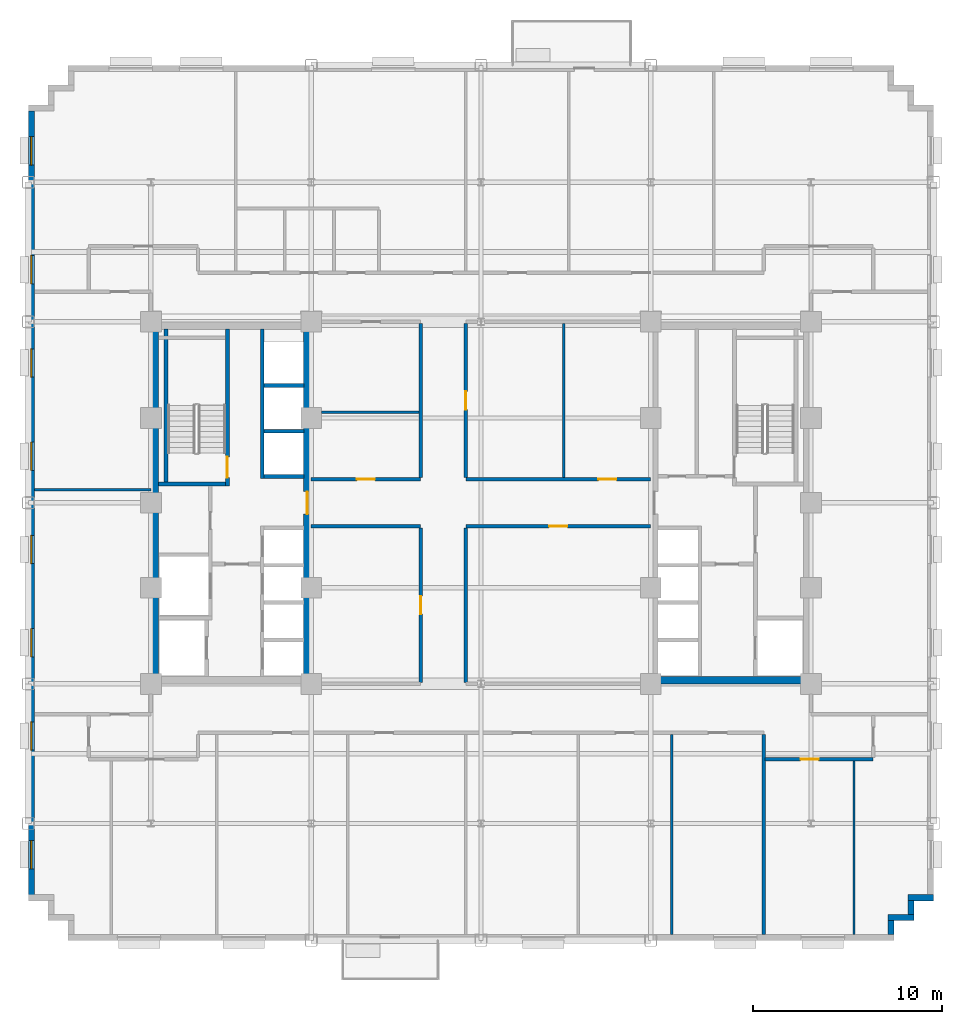
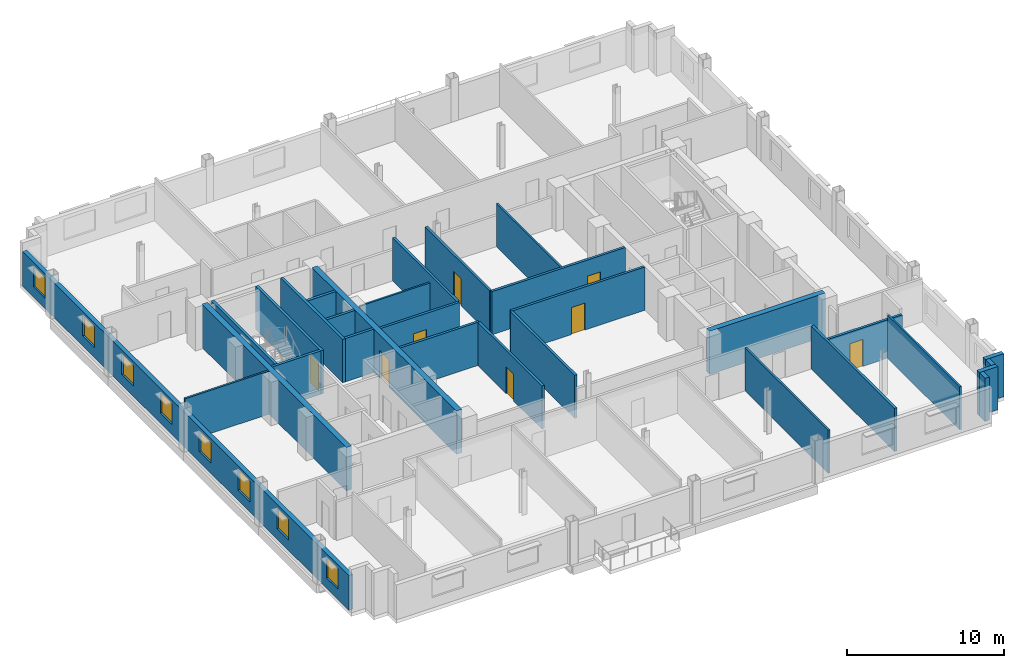
# One storey, part 7 of 14: 30 walls, 8 doors, 8 windows, 16 openings.
"""IFC4 building model written with IfcOpenShell, lengths in metres."""

from ifc_helpers import new_model, si_unit, direction, frame, frame_2d, origin, place, context, subcontext, project, spatial, rectangle, extrude, source, transform, mapped, material, layer, layer_set, type_object, type_shapes, element, fill, save


model = new_model("IFC4")

# Units and contexts
model_context = context("Model", 3, precision=1e-05, world=origin(), true_north=direction((0.0, 1.0)))
body_context = subcontext(model_context, "Body", "Model", "MODEL_VIEW")
ifc_project = project(units=[si_unit("LENGTHUNIT", "METRE"), si_unit("AREAUNIT", "SQUARE_METRE"), si_unit("VOLUMEUNIT", "CUBIC_METRE"), si_unit("PLANEANGLEUNIT", "RADIAN"), si_unit("MASSUNIT", "GRAM", prefix="KILO")], contexts=[model_context])

# Site, building, storey
site_placement = place(None, origin())
site = spatial("IfcSite", under=ifc_project, at=site_placement, CompositionType="ELEMENT")
building_placement = place(site_placement, origin())
building = spatial("IfcBuilding", under=site, at=building_placement, Name="Nuvemarco Arch Tower", CompositionType="ELEMENT")
storey_placement = place(building_placement, frame((0.0, 0.0, 105.60009765625)))
storey = spatial("IfcBuildingStorey", under=building, at=storey_placement, Name="L27", CompositionType="ELEMENT", Elevation=105.60009765625)

# Walls
ifc_material_1 = material(Name="Precast concrete C45/55", Category="concrete")
ifc_layer_1 = layer(ifc_material_1, 0.320068359375, Name="EW-MID-320")
ifc_layer_set_1 = layer_set([ifc_layer_1], Name="Precast concrete C45/55")
wall_type_1 = type_object("IfcWallType", Name="EW-MID-320", PredefinedType="STANDARD", material=ifc_layer_set_1)
wall_1_placement = place(storey_placement, frame((21.739990234375, -22.884033203125, 0.0), z_axis=(0.0, 0.0, 1.0), x_axis=(0.0, 1.0, 0.0)))
element("IfcWall", 1, at=wall_1_placement, inside=storey, type_object=wall_type_1, Name="L27 exterior precast facade wall 2", PredefinedType="STANDARD", context=body_context, shape_type="SweptSolid", body=[
    extrude(rectangle(XDim=0.738037109375, YDim=0.320068359375, at=frame_2d((0.369140625, 0.0))), origin(), (0.0, 0.0, 1.0), 3.35986328125),
])
wall_2_placement = place(storey_placement, frame((21.580078125, -21.989990234375, 0.0), z_axis=(0.0, 0.0, 1.0), x_axis=(1.0, 0.0, 0.0)))
element("IfcWall", 2, at=wall_2_placement, inside=storey, type_object=wall_type_1, Name="L27 exterior precast facade wall 3", PredefinedType="STANDARD", context=body_context, shape_type="SweptSolid", body=[
    extrude(rectangle(XDim=1.369873046875, YDim=0.320068359375, at=frame_2d((0.68505859375, 0.0))), origin(), (0.0, 0.0, 1.0), 3.35986328125),
])
wall_3_placement = place(storey_placement, frame((22.7900390625, -21.833984375, 0.0), z_axis=(0.0, 0.0, 1.0), x_axis=(0.0, 1.0, 0.0)))
element("IfcWall", 3, at=wall_3_placement, inside=storey, type_object=wall_type_1, Name="L27 exterior precast facade wall 4", PredefinedType="STANDARD", context=body_context, shape_type="SweptSolid", body=[
    extrude(rectangle(XDim=0.738037109375, YDim=0.320068359375, at=frame_2d((0.369140625, 0.0))), origin(), (0.0, 0.0, 1.0), 3.35986328125),
])
wall_4_placement = place(storey_placement, frame((22.6298828125, -20.93994140625, 0.0), z_axis=(0.0, 0.0, 1.0), x_axis=(1.0, 0.0, 0.0)))
element("IfcWall", 4, at=wall_4_placement, inside=storey, type_object=wall_type_1, Name="L27 exterior precast facade wall 5", PredefinedType="STANDARD", context=body_context, shape_type="SweptSolid", body=[
    extrude(rectangle(XDim=1.3701171875, YDim=0.320068359375, at=frame_2d((0.68505859375, 0.0))), origin(), (0.0, 0.0, 1.0), 3.35986328125),
])

# Wall, openings, windows
wall_5_placement = place(storey_placement, frame((-23.840087890625, -20.783935546875, 0.0), z_axis=(0.0, 0.0, 1.0), x_axis=(0.0, 1.0, 0.0)))
wall_5 = element("IfcWall", 5, at=wall_5_placement, inside=storey, type_object=wall_type_1, Name="L27 exterior precast facade wall 16", PredefinedType="STANDARD", context=body_context, shape_type="SweptSolid", body=[
    extrude(rectangle(XDim=41.56787109375, YDim=0.320068359375, at=frame_2d((20.783935546875, 0.0))), origin(), (0.0, 0.0, 1.0), 2.704833984375),
])
opening_1_placement = place(wall_5_placement, frame((1.373046875, 0.0, 0.800048828125)))
opening_1 = element("IfcOpeningElement", 6, at=opening_1_placement, cuts=wall_5, Name="Opening WN-11", PredefinedType="OPENING", context=body_context, shape_type="SweptSolid", body=[
    extrude(rectangle(XDim=1.5, YDim=1.60009765625, at=frame_2d((0.75, 0.800048828125))), frame((0.0, 0.169921875, 0.0), z_axis=(0.0, -1.0, 0.0), x_axis=(1.0, 0.0, 0.0)), (0.0, 0.0, 1.0), 0.340087890625),
])
opening_2_placement = place(wall_5_placement, frame((7.6689453125, 0.0, 0.800048828125)))
opening_2 = element("IfcOpeningElement", 7, at=opening_2_placement, cuts=wall_5, Name="Opening WN-11", PredefinedType="OPENING", context=body_context, shape_type="SweptSolid", body=[
    extrude(rectangle(XDim=1.5, YDim=1.60009765625, at=frame_2d((0.75, 0.800048828125))), frame((0.0, 0.169921875, 0.0), z_axis=(0.0, -1.0, 0.0), x_axis=(1.0, 0.0, 0.0)), (0.0, 0.0, 1.0), 0.340087890625),
])
opening_3_placement = place(wall_5_placement, frame((12.614990234375, 0.0, 0.800048828125)))
opening_3 = element("IfcOpeningElement", 8, at=opening_3_placement, cuts=wall_5, Name="Opening WN-11", PredefinedType="OPENING", context=body_context, shape_type="SweptSolid", body=[
    extrude(rectangle(XDim=1.5, YDim=1.60009765625, at=frame_2d((0.75, 0.800048828125))), frame((0.0, 0.169921875, 0.0), z_axis=(0.0, -1.0, 0.0), x_axis=(1.0, 0.0, 0.0)), (0.0, 0.0, 1.0), 0.340087890625),
])
opening_4_placement = place(wall_5_placement, frame((17.56103515625, 0.0, 0.800048828125)))
opening_4 = element("IfcOpeningElement", 9, at=opening_4_placement, cuts=wall_5, Name="Opening WN-11", PredefinedType="OPENING", context=body_context, shape_type="SweptSolid", body=[
    extrude(rectangle(XDim=1.5, YDim=1.60009765625, at=frame_2d((0.75, 0.800048828125))), frame((0.0, 0.169921875, 0.0), z_axis=(0.0, -1.0, 0.0), x_axis=(1.0, 0.0, 0.0)), (0.0, 0.0, 1.0), 0.340087890625),
])
opening_5_placement = place(wall_5_placement, frame((22.507080078125, 0.0, 0.800048828125)))
opening_5 = element("IfcOpeningElement", 10, at=opening_5_placement, cuts=wall_5, Name="Opening WN-11", PredefinedType="OPENING", context=body_context, shape_type="SweptSolid", body=[
    extrude(rectangle(XDim=1.5, YDim=1.60009765625, at=frame_2d((0.75, 0.800048828125))), frame((0.0, 0.169921875, 0.0), z_axis=(0.0, -1.0, 0.0), x_axis=(1.0, 0.0, 0.0)), (0.0, 0.0, 1.0), 0.340087890625),
])
opening_6_placement = place(wall_5_placement, frame((27.452880859375, 0.0, 0.800048828125)))
opening_6 = element("IfcOpeningElement", 11, at=opening_6_placement, cuts=wall_5, Name="Opening WN-11", PredefinedType="OPENING", context=body_context, shape_type="SweptSolid", body=[
    extrude(rectangle(XDim=1.5, YDim=1.60009765625, at=frame_2d((0.75, 0.800048828125))), frame((0.0, 0.169921875, 0.0), z_axis=(0.0, -1.0, 0.0), x_axis=(1.0, 0.0, 0.0)), (0.0, 0.0, 1.0), 0.340087890625),
])
opening_7_placement = place(wall_5_placement, frame((32.39892578125, 0.0, 0.800048828125)))
opening_7 = element("IfcOpeningElement", 12, at=opening_7_placement, cuts=wall_5, Name="Opening WN-11", PredefinedType="OPENING", context=body_context, shape_type="SweptSolid", body=[
    extrude(rectangle(XDim=1.5, YDim=1.60009765625, at=frame_2d((0.75, 0.800048828125))), frame((0.0, 0.169921875, 0.0), z_axis=(0.0, -1.0, 0.0), x_axis=(1.0, 0.0, 0.0)), (0.0, 0.0, 1.0), 0.340087890625),
])
opening_8_placement = place(wall_5_placement, frame((38.695068359375, 0.0, 0.800048828125)))
opening_8 = element("IfcOpeningElement", 13, at=opening_8_placement, cuts=wall_5, Name="Opening WN-11", PredefinedType="OPENING", context=body_context, shape_type="SweptSolid", body=[
    extrude(rectangle(XDim=1.5, YDim=1.60009765625, at=frame_2d((0.75, 0.800048828125))), frame((0.0, 0.169921875, 0.0), z_axis=(0.0, -1.0, 0.0), x_axis=(1.0, 0.0, 0.0)), (0.0, 0.0, 1.0), 0.340087890625),
])
ifc_material_2 = material(Name="Insulated solar-control glass", Category="glass")
window_type = type_object("IfcWindowType", Name="WN-STEP-1500x1850", PartitioningType="SINGLE_PANEL", PredefinedType="WINDOW", material=ifc_material_2)
shared_shape_1 = source(origin(), body_context, "Body", "SweptSolid", [
    extrude(rectangle(XDim=1.5, YDim=1.60009765625, at=frame_2d((0.75, 0.800048828125))), frame((0.0, 0.030029296875, 0.0), z_axis=(0.0, -1.0, 0.0), x_axis=(1.0, 0.0, 0.0)), (0.0, 0.0, 1.0), 0.06005859375),
])
type_shapes(window_type, [shared_shape_1])
window_1_placement = place(opening_1_placement, origin())
window_1 = element("IfcWindow", 14, at=window_1_placement, inside=storey, type_object=window_type, Name="L27 punched facade window 1", OverallHeight=1.60009765625, OverallWidth=1.5, PartitioningType="SINGLE_PANEL", PredefinedType="WINDOW", context=body_context, shape_type="MappedRepresentation", body=[
    mapped(shared_shape_1, transform((0.0, 0.0, 0.0), scale=1.0)),
])
fill(opening_1, window_1)
window_2_placement = place(opening_2_placement, origin())
window_2 = element("IfcWindow", 15, at=window_2_placement, inside=storey, type_object=window_type, Name="L27 punched facade window 2", OverallHeight=1.60009765625, OverallWidth=1.5, PartitioningType="SINGLE_PANEL", PredefinedType="WINDOW", context=body_context, shape_type="MappedRepresentation", body=[
    mapped(shared_shape_1, transform((0.0, 0.0, 0.0), scale=1.0)),
])
fill(opening_2, window_2)
window_3_placement = place(opening_3_placement, origin())
window_3 = element("IfcWindow", 16, at=window_3_placement, inside=storey, type_object=window_type, Name="L27 punched facade window 3", OverallHeight=1.60009765625, OverallWidth=1.5, PartitioningType="SINGLE_PANEL", PredefinedType="WINDOW", context=body_context, shape_type="MappedRepresentation", body=[
    mapped(shared_shape_1, transform((0.0, 0.0, 0.0), scale=1.0)),
])
fill(opening_3, window_3)
window_4_placement = place(opening_4_placement, origin())
window_4 = element("IfcWindow", 17, at=window_4_placement, inside=storey, type_object=window_type, Name="L27 punched facade window 4", OverallHeight=1.60009765625, OverallWidth=1.5, PartitioningType="SINGLE_PANEL", PredefinedType="WINDOW", context=body_context, shape_type="MappedRepresentation", body=[
    mapped(shared_shape_1, transform((0.0, 0.0, 0.0), scale=1.0)),
])
fill(opening_4, window_4)
window_5_placement = place(opening_5_placement, origin())
window_5 = element("IfcWindow", 18, at=window_5_placement, inside=storey, type_object=window_type, Name="L27 punched facade window 5", OverallHeight=1.60009765625, OverallWidth=1.5, PartitioningType="SINGLE_PANEL", PredefinedType="WINDOW", context=body_context, shape_type="MappedRepresentation", body=[
    mapped(shared_shape_1, transform((0.0, 0.0, 0.0), scale=1.0)),
])
fill(opening_5, window_5)
window_6_placement = place(opening_6_placement, origin())
window_6 = element("IfcWindow", 19, at=window_6_placement, inside=storey, type_object=window_type, Name="L27 punched facade window 6", OverallHeight=1.60009765625, OverallWidth=1.5, PartitioningType="SINGLE_PANEL", PredefinedType="WINDOW", context=body_context, shape_type="MappedRepresentation", body=[
    mapped(shared_shape_1, transform((0.0, 0.0, 0.0), scale=1.0)),
])
fill(opening_6, window_6)
window_7_placement = place(opening_7_placement, origin())
window_7 = element("IfcWindow", 20, at=window_7_placement, inside=storey, type_object=window_type, Name="L27 punched facade window 7", OverallHeight=1.60009765625, OverallWidth=1.5, PartitioningType="SINGLE_PANEL", PredefinedType="WINDOW", context=body_context, shape_type="MappedRepresentation", body=[
    mapped(shared_shape_1, transform((0.0, 0.0, 0.0), scale=1.0)),
])
fill(opening_7, window_7)
window_8_placement = place(opening_8_placement, origin())
window_8 = element("IfcWindow", 21, at=window_8_placement, inside=storey, type_object=window_type, Name="L27 punched facade window 8", OverallHeight=1.60009765625, OverallWidth=1.5, PartitioningType="SINGLE_PANEL", PredefinedType="WINDOW", context=body_context, shape_type="MappedRepresentation", body=[
    mapped(shared_shape_1, transform((0.0, 0.0, 0.0), scale=1.0)),
])
fill(opening_8, window_8)

# Wall
ifc_material_3 = material(Name="Concrete C60/75", Category="concrete")
ifc_layer_2 = layer(ifc_material_3, 0.39990234375, Name="WL-CORE-400")
ifc_layer_set_2 = layer_set([ifc_layer_2], Name="Concrete C60/75")
wall_type_2 = type_object("IfcWallType", Name="WL-CORE-400", PredefinedType="SHEAR", material=ifc_layer_set_2)
wall_6_placement = place(storey_placement, frame((-17.300048828125, -9.205078125, 0.0), z_axis=(0.0, 0.0, 1.0), x_axis=(0.0, 1.0, 0.0)))
element("IfcWall", 22, at=wall_6_placement, inside=storey, type_object=wall_type_2, Name="L27 W-core shear wall W", PredefinedType="SHEAR", context=body_context, shape_type="SweptSolid", body=[
    extrude(rectangle(XDim=18.41015625, YDim=0.39990234375, at=frame_2d((9.205078125, 0.0))), origin(), (0.0, 0.0, 1.0), 3.369873046875),
])

# Wall, opening, door
wall_7_placement = place(storey_placement, frame((-9.199951171875, -9.205078125, 0.0), z_axis=(0.0, 0.0, 1.0), x_axis=(0.0, 1.0, 0.0)))
wall_7 = element("IfcWall", 23, at=wall_7_placement, inside=storey, type_object=wall_type_2, Name="L27 W-core shear wall E", PredefinedType="SHEAR", context=body_context, shape_type="SweptSolid", body=[
    extrude(rectangle(XDim=18.41015625, YDim=0.39990234375, at=frame_2d((9.205078125, 0.0))), origin(), (0.0, 0.0, 1.0), 3.369873046875),
])
opening_9_placement = place(wall_7_placement, frame((8.60498046875, 0.0, 0.0)))
opening_9 = element("IfcOpeningElement", 24, at=opening_9_placement, cuts=wall_7, Name="Opening FD-2", PredefinedType="OPENING", context=body_context, shape_type="SweptSolid", body=[
    extrude(rectangle(XDim=1.199951171875, YDim=2.14990234375, at=frame_2d((0.60009765625, 1.074951171875))), frame((0.0, 0.2099609375, 0.0), z_axis=(0.0, -1.0, 0.0), x_axis=(1.0, 0.0, 0.0)), (0.0, 0.0, 1.0), 0.419921875),
])
ifc_material_4 = material(Name="Anodised steel fire door", Category="steel")
door_type_1 = type_object("IfcDoorType", Name="DR-FFLOB-FD", OperationType="NOTDEFINED", PredefinedType="DOOR", material=ifc_material_4)
shared_shape_2 = source(origin(), body_context, "Body", "SweptSolid", [
    extrude(rectangle(XDim=1.199951171875, YDim=2.14990234375, at=frame_2d((0.60009765625, 1.074951171875))), frame((0.0, 0.02490234375, 0.0), z_axis=(0.0, -1.0, 0.0), x_axis=(1.0, 0.0, 0.0)), (0.0, 0.0, 1.0), 0.050048828125),
])
type_shapes(door_type_1, [shared_shape_2])
door_1_placement = place(opening_9_placement, origin())
door_1 = element("IfcDoor", 25, at=door_1_placement, inside=storey, type_object=door_type_1, Name="L27 door FD-L27-WCORE-E", OperationType="SINGLE_SWING_RIGHT", OverallHeight=2.14990234375, OverallWidth=1.199951171875, PredefinedType="DOOR", context=body_context, shape_type="MappedRepresentation", body=[
    mapped(shared_shape_2, transform((0.0, 0.0, 0.0), scale=1.0)),
])
fill(opening_9, door_1)

# Wall
wall_8_placement = place(storey_placement, frame((9.0, -9.39990234375, 0.0), z_axis=(0.0, 0.0, 1.0), x_axis=(1.0, 0.0, 0.0)))
element("IfcWall", 26, at=wall_8_placement, inside=storey, type_object=wall_type_2, Name="L27 E-core shear wall S", PredefinedType="SHEAR", context=body_context, shape_type="SweptSolid", body=[
    extrude(rectangle(XDim=8.5, YDim=0.39990234375, at=frame_2d((4.25, 0.0))), origin(), (0.0, 0.0, 1.0), 3.369873046875),
])

# Wall, opening, door
ifc_material_5 = material(Name="Fire-rated gypsum drywall partition")
ifc_layer_3 = layer(ifc_material_5, 0.179931640625, Name="WL-CORR-180")
ifc_layer_set_3 = layer_set([ifc_layer_3], Name="Fire-rated gypsum drywall partition")
wall_type_3 = type_object("IfcWallType", Name="WL-CORR-180", PredefinedType="PARTITIONING", material=ifc_layer_set_3)
wall_9_placement = place(storey_placement, frame((15.070068359375, -13.60009765625, 0.0), z_axis=(0.0, 0.0, 1.0), x_axis=(1.0, 0.0, 0.0)))
wall_9 = element("IfcWall", 27, at=wall_9_placement, inside=storey, type_object=wall_type_3, Name="L27 interior wall IW-L27-002", PredefinedType="PARTITIONING", context=body_context, shape_type="SweptSolid", body=[
    extrude(rectangle(XDim=5.72998046875, YDim=0.179931640625, at=frame_2d((2.864990234375, 0.0))), origin(), (0.0, 0.0, 1.0), 2.997802734375),
])
opening_10_placement = place(wall_9_placement, frame((1.875, 0.0, 0.0)))
opening_10 = element("IfcOpeningElement", 28, at=opening_10_placement, cuts=wall_9, Name="Opening FD-5", PredefinedType="OPENING", context=body_context, shape_type="SweptSolid", body=[
    extrude(rectangle(XDim=0.9599609375, YDim=2.10009765625, at=frame_2d((0.47998046875, 1.050048828125))), frame((0.0, 0.099853515625, 0.0), z_axis=(0.0, -1.0, 0.0), x_axis=(1.0, 0.0, 0.0)), (0.0, 0.0, 1.0), 0.199951171875),
])
ifc_material_6 = material(Name="Timber fire door", Category="wood")
door_type_2 = type_object("IfcDoorType", Name="DR-CORR-FD", OperationType="NOTDEFINED", PredefinedType="DOOR", material=ifc_material_6)
shared_shape_3 = source(origin(), body_context, "Body", "SweptSolid", [
    extrude(rectangle(XDim=0.9599609375, YDim=2.10009765625, at=frame_2d((0.47998046875, 1.050048828125))), frame((0.0, 0.02490234375, 0.0), z_axis=(0.0, -1.0, 0.0), x_axis=(1.0, 0.0, 0.0)), (0.0, 0.0, 1.0), 0.050048828125),
])
type_shapes(door_type_2, [shared_shape_3])
door_2_placement = place(opening_10_placement, origin())
door_2 = element("IfcDoor", 29, at=door_2_placement, inside=storey, type_object=door_type_2, Name="L27 door DR-L27-S_8", OperationType="SINGLE_SWING_LEFT", OverallHeight=2.10009765625, OverallWidth=0.9599609375, PredefinedType="DOOR", context=body_context, shape_type="MappedRepresentation", body=[
    mapped(shared_shape_3, transform((0.0, 0.0, 0.0), scale=1.0)),
])
fill(opening_10, door_2)

# Wall
wall_10_placement = place(storey_placement, frame((-9.0, -1.25, 0.0), z_axis=(0.0, 0.0, 1.0), x_axis=(1.0, 0.0, 0.0)))
element("IfcWall", 30, at=wall_10_placement, inside=storey, type_object=wall_type_3, Name="L27 interior wall IW-L27-009", PredefinedType="PARTITIONING", context=body_context, shape_type="SweptSolid", body=[
    extrude(rectangle(XDim=5.800048828125, YDim=0.179931640625, at=frame_2d((2.89990234375, 0.0))), origin(), (0.0, 0.0, 1.0), 3.35986328125),
])

# Wall, opening, door
wall_11_placement = place(storey_placement, frame((-0.800048828125, -1.25, 0.0), z_axis=(0.0, 0.0, 1.0), x_axis=(1.0, 0.0, 0.0)))
wall_11 = element("IfcWall", 31, at=wall_11_placement, inside=storey, type_object=wall_type_3, Name="L27 interior wall IW-L27-010", PredefinedType="PARTITIONING", context=body_context, shape_type="SweptSolid", body=[
    extrude(rectangle(XDim=9.800048828125, YDim=0.179931640625, at=frame_2d((4.89990234375, 0.0))), origin(), (0.0, 0.0, 1.0), 3.35986328125),
])
opening_11_placement = place(wall_11_placement, frame((4.419921875, 0.0, 0.0)))
opening_11 = element("IfcOpeningElement", 32, at=opening_11_placement, cuts=wall_11, Name="Opening FD-5", PredefinedType="OPENING", context=body_context, shape_type="SweptSolid", body=[
    extrude(rectangle(XDim=0.9599609375, YDim=2.10009765625, at=frame_2d((0.47998046875, 1.050048828125))), frame((0.0, 0.099853515625, 0.0), z_axis=(0.0, -1.0, 0.0), x_axis=(1.0, 0.0, 0.0)), (0.0, 0.0, 1.0), 0.199951171875),
])
door_3_placement = place(opening_11_placement, origin())
door_3 = element("IfcDoor", 33, at=door_3_placement, inside=storey, type_object=door_type_2, Name="L27 door DR-L27-C_SE", OperationType="SINGLE_SWING_RIGHT", OverallHeight=2.10009765625, OverallWidth=0.9599609375, PredefinedType="DOOR", context=body_context, shape_type="MappedRepresentation", body=[
    mapped(shared_shape_3, transform((0.0, 0.0, 0.0), scale=1.0)),
])
fill(opening_11, door_3)

wall_12_placement = place(storey_placement, frame((-9.0, 1.25, 0.0), z_axis=(0.0, 0.0, 1.0), x_axis=(1.0, 0.0, 0.0)))
wall_12 = element("IfcWall", 34, at=wall_12_placement, inside=storey, type_object=wall_type_3, Name="L27 interior wall IW-L27-012", PredefinedType="PARTITIONING", context=body_context, shape_type="SweptSolid", body=[
    extrude(rectangle(XDim=5.800048828125, YDim=0.179931640625, at=frame_2d((2.89990234375, 0.0))), origin(), (0.0, 0.0, 1.0), 3.35986328125),
])
opening_12_placement = place(wall_12_placement, frame((2.419921875, 0.0, 0.0)))
opening_12 = element("IfcOpeningElement", 35, at=opening_12_placement, cuts=wall_12, Name="Opening FD-5", PredefinedType="OPENING", context=body_context, shape_type="SweptSolid", body=[
    extrude(rectangle(XDim=0.9599609375, YDim=2.10009765625, at=frame_2d((0.47998046875, 1.050048828125))), frame((0.0, 0.099853515625, 0.0), z_axis=(0.0, -1.0, 0.0), x_axis=(1.0, 0.0, 0.0)), (0.0, 0.0, 1.0), 0.199951171875),
])
door_4_placement = place(opening_12_placement, origin())
door_4 = element("IfcDoor", 36, at=door_4_placement, inside=storey, type_object=door_type_2, Name="L27 door DR-L27-C_NW1", OperationType="SINGLE_SWING_RIGHT", OverallHeight=2.10009765625, OverallWidth=0.9599609375, PredefinedType="DOOR", context=body_context, shape_type="MappedRepresentation", body=[
    mapped(shared_shape_3, transform((0.0, 0.0, 0.0), scale=1.0)),
])
fill(opening_12, door_4)

wall_13_placement = place(storey_placement, frame((-0.800048828125, 1.25, 0.0), z_axis=(0.0, 0.0, 1.0), x_axis=(1.0, 0.0, 0.0)))
wall_13 = element("IfcWall", 37, at=wall_13_placement, inside=storey, type_object=wall_type_3, Name="L27 interior wall IW-L27-013", PredefinedType="PARTITIONING", context=body_context, shape_type="SweptSolid", body=[
    extrude(rectangle(XDim=9.800048828125, YDim=0.179931640625, at=frame_2d((4.89990234375, 0.0))), origin(), (0.0, 0.0, 1.0), 3.35986328125),
])
opening_13_placement = place(wall_13_placement, frame((7.02001953125, 0.0, 0.0)))
opening_13 = element("IfcOpeningElement", 38, at=opening_13_placement, cuts=wall_13, Name="Opening FD-5", PredefinedType="OPENING", context=body_context, shape_type="SweptSolid", body=[
    extrude(rectangle(XDim=0.9599609375, YDim=2.10009765625, at=frame_2d((0.47998046875, 1.050048828125))), frame((0.0, 0.099853515625, 0.0), z_axis=(0.0, -1.0, 0.0), x_axis=(1.0, 0.0, 0.0)), (0.0, 0.0, 1.0), 0.199951171875),
])
door_5_placement = place(opening_13_placement, origin())
door_5 = element("IfcDoor", 39, at=door_5_placement, inside=storey, type_object=door_type_2, Name="L27 door DR-L27-C_NE2", OperationType="SINGLE_SWING_RIGHT", OverallHeight=2.10009765625, OverallWidth=0.9599609375, PredefinedType="DOOR", context=body_context, shape_type="MappedRepresentation", body=[
    mapped(shared_shape_3, transform((0.0, 0.0, 0.0), scale=1.0)),
])
fill(opening_13, door_5)

wall_14_placement = place(storey_placement, frame((-3.199951171875, -9.513916015625, 0.0), z_axis=(0.0, 0.0, 1.0), x_axis=(0.0, 1.0, 0.0)))
wall_14 = element("IfcWall", 40, at=wall_14_placement, inside=storey, type_object=wall_type_3, Name="L27 interior wall IW-L27-037", PredefinedType="PARTITIONING", context=body_context, shape_type="SweptSolid", body=[
    extrude(rectangle(XDim=8.177978515625, YDim=0.179931640625, at=frame_2d((4.0888671875, 0.0))), origin(), (0.0, 0.0, 1.0), 3.35986328125),
])
opening_14_placement = place(wall_14_placement, frame((3.60888671875, 0.0, 0.0)))
opening_14 = element("IfcOpeningElement", 41, at=opening_14_placement, cuts=wall_14, Name="Opening FD-5", PredefinedType="OPENING", context=body_context, shape_type="SweptSolid", body=[
    extrude(rectangle(XDim=0.9599609375, YDim=2.10009765625, at=frame_2d((0.47998046875, 1.050048828125))), frame((0.0, 0.099853515625, 0.0), z_axis=(0.0, -1.0, 0.0), x_axis=(1.0, 0.0, 0.0)), (0.0, 0.0, 1.0), 0.199951171875),
])
door_6_placement = place(opening_14_placement, origin())
door_6 = element("IfcDoor", 42, at=door_6_placement, inside=storey, type_object=door_type_2, Name="L27 door DR-L27-C_SW", OperationType="SINGLE_SWING_LEFT", OverallHeight=2.10009765625, OverallWidth=0.9599609375, PredefinedType="DOOR", context=body_context, shape_type="MappedRepresentation", body=[
    mapped(shared_shape_3, transform((0.0, 0.0, 0.0), scale=1.0)),
])
fill(opening_14, door_6)

# Walls
for number, where, z_axis, x_axis, name in (
    (43, (-3.199951171875, 1.3359375, 0.0), (0.0, 0.0, 1.0), (0.0, 1.0, 0.0), "L27 interior wall IW-L27-038"),
    (44, (-0.800048828125, -9.513916015625, 0.0), (0.0, 0.0, 1.0), (0.0, 1.0, 0.0), "L27 interior wall IW-L27-040"),
):
    element("IfcWall", number, at=place(storey_placement, frame(where, z_axis=z_axis, x_axis=x_axis)), inside=storey, type_object=wall_type_3, Name=name, PredefinedType="PARTITIONING", context=body_context, shape_type="SweptSolid", body=[
        extrude(rectangle(XDim=8.177978515625, YDim=0.179931640625, at=frame_2d((4.0888671875, 0.0))), origin(), (0.0, 0.0, 1.0), 3.35986328125),
    ])

# Wall, opening, door
wall_15_placement = place(storey_placement, frame((-0.800048828125, 1.3359375, 0.0), z_axis=(0.0, 0.0, 1.0), x_axis=(0.0, 1.0, 0.0)))
wall_15 = element("IfcWall", 45, at=wall_15_placement, inside=storey, type_object=wall_type_3, Name="L27 interior wall IW-L27-041", PredefinedType="PARTITIONING", context=body_context, shape_type="SweptSolid", body=[
    extrude(rectangle(XDim=8.177978515625, YDim=0.179931640625, at=frame_2d((4.0888671875, 0.0))), origin(), (0.0, 0.0, 1.0), 3.35986328125),
])
opening_15_placement = place(wall_15_placement, frame((3.60888671875, 0.0, 0.0)))
opening_15 = element("IfcOpeningElement", 46, at=opening_15_placement, cuts=wall_15, Name="Opening FD-5", PredefinedType="OPENING", context=body_context, shape_type="SweptSolid", body=[
    extrude(rectangle(XDim=0.9599609375, YDim=2.10009765625, at=frame_2d((0.47998046875, 1.050048828125))), frame((0.0, 0.099853515625, 0.0), z_axis=(0.0, -1.0, 0.0), x_axis=(1.0, 0.0, 0.0)), (0.0, 0.0, 1.0), 0.199951171875),
])
door_7_placement = place(opening_15_placement, origin())
door_7 = element("IfcDoor", 47, at=door_7_placement, inside=storey, type_object=door_type_2, Name="L27 door DR-L27-C_NE1", OperationType="SINGLE_SWING_RIGHT", OverallHeight=2.10009765625, OverallWidth=0.9599609375, PredefinedType="DOOR", context=body_context, shape_type="MappedRepresentation", body=[
    mapped(shared_shape_3, transform((0.0, 0.0, 0.0), scale=1.0)),
])
fill(opening_15, door_7)

# Walls
wall_16_placement = place(storey_placement, frame((15.0, -22.8798828125, 0.0), z_axis=(0.0, 0.0, 1.0), x_axis=(0.0, 1.0, 0.0)))
element("IfcWall", 48, at=wall_16_placement, inside=storey, type_object=wall_type_3, Name="L27 interior wall IW-L27-048", PredefinedType="PARTITIONING", context=body_context, shape_type="SweptSolid", body=[
    extrude(rectangle(XDim=10.593994140625, YDim=0.179931640625, at=frame_2d((5.296875, 0.0))), origin(), (0.0, 0.0, 1.0), 3.35986328125),
])
ifc_material_7 = material(Name="Glazed acoustic office partition")
ifc_layer_4 = layer(ifc_material_7, 0.1298828125, Name="WL-EXEC-130")
ifc_layer_set_4 = layer_set([ifc_layer_4], Name="Glazed acoustic office partition")
wall_type_4 = type_object("IfcWallType", Name="WL-EXEC-130", PredefinedType="PARTITIONING", material=ifc_layer_set_4)
wall_17_placement = place(storey_placement, frame((-8.4541015625, 4.800048828125, 0.0), z_axis=(0.0, 0.0, 1.0), x_axis=(1.0, 0.0, 0.0)))
element("IfcWall", 49, at=wall_17_placement, inside=storey, type_object=wall_type_4, Name="L27 interior wall IW-L27-014", PredefinedType="PARTITIONING", context=body_context, shape_type="SweptSolid", body=[
    extrude(rectangle(XDim=5.168212890625, YDim=0.1298828125, at=frame_2d((2.583984375, 0.0))), origin(), (0.0, 0.0, 1.0), 2.73779296875),
])
wall_18_placement = place(storey_placement, frame((4.39990234375, 1.3359375, 0.0), z_axis=(0.0, 0.0, 1.0), x_axis=(0.0, 1.0, 0.0)))
element("IfcWall", 50, at=wall_18_placement, inside=storey, type_object=wall_type_4, Name="L27 interior wall IW-L27-043", PredefinedType="PARTITIONING", context=body_context, shape_type="SweptSolid", body=[
    extrude(rectangle(XDim=8.177978515625, YDim=0.1298828125, at=frame_2d((4.0888671875, 0.0))), origin(), (0.0, 0.0, 1.0), 3.35986328125),
])
wall_19_placement = place(storey_placement, frame((19.780029296875, -22.8798828125, 0.0), z_axis=(0.0, 0.0, 1.0), x_axis=(0.0, 1.0, 0.0)))
element("IfcWall", 51, at=wall_19_placement, inside=storey, type_object=wall_type_4, Name="L27 interior wall IW-L27-052", PredefinedType="PARTITIONING", context=body_context, shape_type="SweptSolid", body=[
    extrude(rectangle(XDim=9.19384765625, YDim=0.1298828125, at=frame_2d((4.596923828125, 0.0))), origin(), (0.0, 0.0, 1.0), 3.35986328125),
])
ifc_material_8 = material(Name="Gypsum plasterboard partition")
ifc_layer_5 = layer(ifc_material_8, 0.139892578125, Name="WL-ROOM-140")
ifc_layer_set_5 = layer_set([ifc_layer_5], Name="Gypsum plasterboard partition")
wall_type_5 = type_object("IfcWallType", Name="WL-ROOM-140", PredefinedType="PARTITIONING", material=ifc_layer_set_5)
wall_20_placement = place(storey_placement, frame((-23.679931640625, 0.699951171875, 0.0), z_axis=(0.0, 0.0, 1.0), x_axis=(1.0, 0.0, 0.0)))
element("IfcWall", 52, at=wall_20_placement, inside=storey, type_object=wall_type_5, Name="L27 interior wall IW-L27-011", PredefinedType="PARTITIONING", context=body_context, shape_type="SweptSolid", body=[
    extrude(rectangle(XDim=6.179931640625, YDim=0.139892578125, at=frame_2d((3.08984375, 0.0))), origin(), (0.0, 0.0, 1.0), 3.35986328125),
])
wall_21_placement = place(storey_placement, frame((10.110107421875, -22.8798828125, 0.0), z_axis=(0.0, 0.0, 1.0), x_axis=(0.0, 1.0, 0.0)))
element("IfcWall", 53, at=wall_21_placement, inside=storey, type_object=wall_type_5, Name="L27 interior wall IW-L27-046", PredefinedType="PARTITIONING", context=body_context, shape_type="SweptSolid", body=[
    extrude(rectangle(XDim=10.593994140625, YDim=0.139892578125, at=frame_2d((5.296875, 0.0))), origin(), (0.0, 0.0, 1.0), 3.35986328125),
])

# Wall, opening, door
ifc_material_9 = material(Name="Concrete C50/60", Category="concrete")
ifc_layer_6 = layer(ifc_material_9, 0.199951171875, Name="WL-SHAFT-220")
ifc_layer_set_6 = layer_set([ifc_layer_6], Name="Concrete C50/60")
wall_type_6 = type_object("IfcWallType", Name="WL-SHAFT-220", PredefinedType="SHEAR", material=ifc_layer_set_6)
wall_22_placement = place(storey_placement, frame((-13.43994140625, 0.89990234375, 0.0), z_axis=(0.0, 0.0, 1.0), x_axis=(0.0, 1.0, 0.0)))
wall_22 = element("IfcWall", 54, at=wall_22_placement, inside=storey, type_object=wall_type_6, Name="L27 structural shaft wall SW-L27-W-ST1E", PredefinedType="SHEAR", context=body_context, shape_type="SweptSolid", body=[
    extrude(rectangle(XDim=8.30517578125, YDim=0.199951171875, at=frame_2d((4.152587890625, 0.0))), origin(), (0.0, 0.0, 1.0), 3.369873046875),
])
opening_16_placement = place(wall_22_placement, frame((1.530029296875, 0.0, 0.0), z_axis=(0.0, 0.0, 1.0), x_axis=(-1.0, 0.0, 0.0)))
opening_16 = element("IfcOpeningElement", 55, at=opening_16_placement, cuts=wall_22, Name="Opening FD-1", PredefinedType="OPENING", context=body_context, shape_type="SweptSolid", body=[
    extrude(rectangle(XDim=1.10009765625, YDim=2.14990234375, at=frame_2d((0.550048828125, 1.074951171875))), frame((0.0, 0.10986328125, 0.0), z_axis=(0.0, -1.0, 0.0), x_axis=(1.0, 0.0, 0.0)), (0.0, 0.0, 1.0), 0.219970703125),
])
door_type_3 = type_object("IfcDoorType", Name="DR-STAIR-FD", OperationType="NOTDEFINED", PredefinedType="DOOR", material=ifc_material_4)
shared_shape_4 = source(origin(), body_context, "Body", "SweptSolid", [
    extrude(rectangle(XDim=1.10009765625, YDim=2.14990234375, at=frame_2d((0.550048828125, 1.074951171875))), frame((0.0, 0.02490234375, 0.0), z_axis=(0.0, -1.0, 0.0), x_axis=(1.0, 0.0, 0.0)), (0.0, 0.0, 1.0), 0.050048828125),
])
type_shapes(door_type_3, [shared_shape_4])
door_8_placement = place(opening_16_placement, origin())
door_8 = element("IfcDoor", 56, at=door_8_placement, inside=storey, type_object=door_type_3, Name="L27 door FD-L27-ST1", OperationType="SINGLE_SWING_RIGHT", OverallHeight=2.14990234375, OverallWidth=1.10009765625, PredefinedType="DOOR", context=body_context, shape_type="MappedRepresentation", body=[
    mapped(shared_shape_4, transform((0.0, 0.0, 0.0), scale=1.0)),
])
fill(opening_16, door_8)

# Walls
wall_23_placement = place(storey_placement, frame((-17.10498046875, 1.0, 0.0), z_axis=(0.0, 0.0, 1.0), x_axis=(1.0, 0.0, 0.0)))
element("IfcWall", 57, at=wall_23_placement, inside=storey, type_object=wall_type_6, Name="L27 structural shaft wall SW-L27-W-ST1S", PredefinedType="SHEAR", context=body_context, shape_type="SweptSolid", body=[
    extrude(rectangle(XDim=3.570068359375, YDim=0.199951171875, at=frame_2d((1.78515625, 0.0))), origin(), (0.0, 0.0, 1.0), 3.369873046875),
])
wall_24_placement = place(storey_placement, frame((-16.699951171875, 1.094970703125, 0.0), z_axis=(0.0, 0.0, 1.0), x_axis=(0.0, 1.0, 0.0)))
element("IfcWall", 58, at=wall_24_placement, inside=storey, type_object=wall_type_6, Name="L27 structural shaft wall SW-L27-W-ST1W", PredefinedType="SHEAR", context=body_context, shape_type="SweptSolid", body=[
    extrude(rectangle(XDim=8.110107421875, YDim=0.199951171875, at=frame_2d((4.05517578125, 0.0))), origin(), (0.0, 0.0, 1.0), 3.369873046875),
])
wall_25_placement = place(storey_placement, frame((-11.60009765625, 1.300048828125, 0.0), z_axis=(0.0, 0.0, 1.0), x_axis=(0.0, 1.0, 0.0)))
element("IfcWall", 59, at=wall_25_placement, inside=storey, type_object=wall_type_6, Name="L27 structural shaft wall SW-L27-W-PHW", PredefinedType="SHEAR", context=body_context, shape_type="SweptSolid", body=[
    extrude(rectangle(XDim=7.905029296875, YDim=0.199951171875, at=frame_2d((3.95263671875, 0.0))), origin(), (0.0, 0.0, 1.0), 3.369873046875),
])
for number, where, z_axis, x_axis, name in (
    (60, (-11.5048828125, 1.39990234375, 0.0), (0.0, 0.0, 1.0), (1.0, 0.0, 0.0), "L27 structural shaft wall SW-L27-W-PHD1"),
    (61, (-11.5048828125, 3.800048828125, 0.0), (0.0, 0.0, 1.0), (1.0, 0.0, 0.0), "L27 structural shaft wall SW-L27-W-PHD2"),
    (62, (-11.5048828125, 6.219970703125, 0.0), (0.0, 0.0, 1.0), (1.0, 0.0, 0.0), "L27 structural shaft wall SW-L27-W-PHD3"),
):
    element("IfcWall", number, at=place(storey_placement, frame(where, z_axis=z_axis, x_axis=x_axis)), inside=storey, type_object=wall_type_6, Name=name, PredefinedType="SHEAR", context=body_context, shape_type="SweptSolid", body=[
        extrude(rectangle(XDim=2.10986328125, YDim=0.199951171875, at=frame_2d((1.054931640625, 0.0))), origin(), (0.0, 0.0, 1.0), 3.369873046875),
    ])

save(model, "model.ifc")
